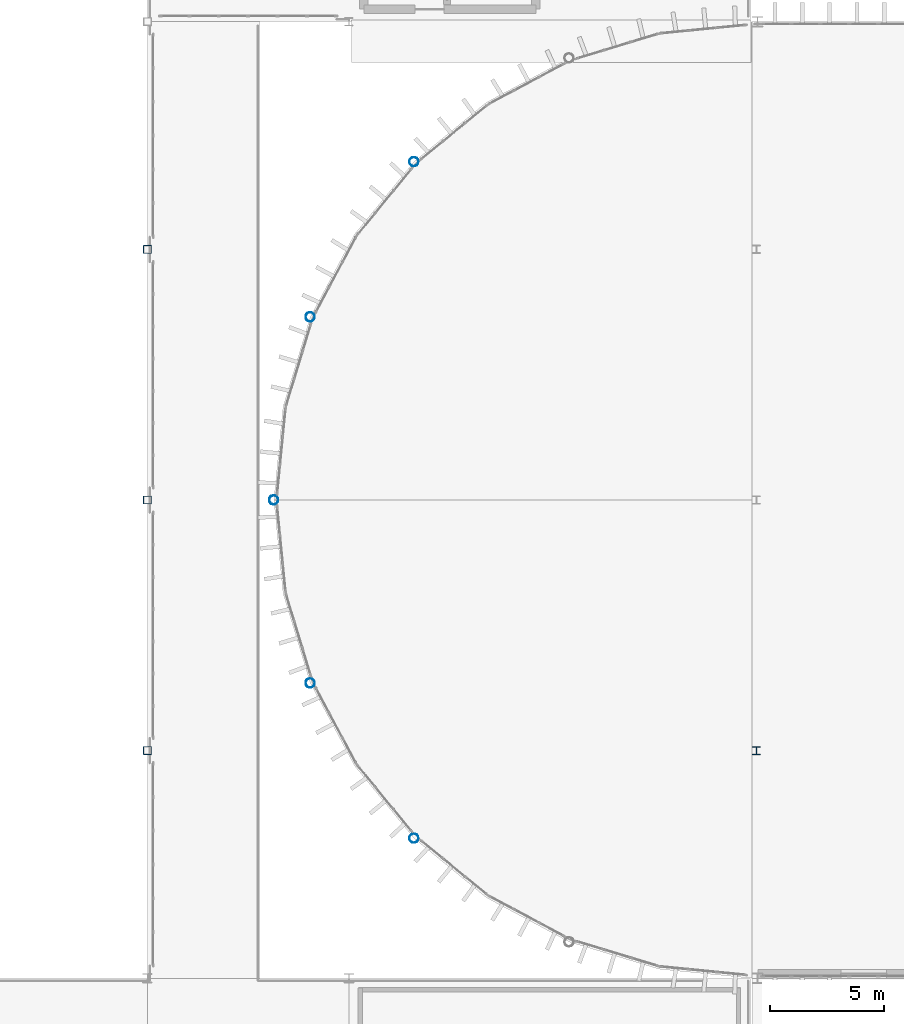
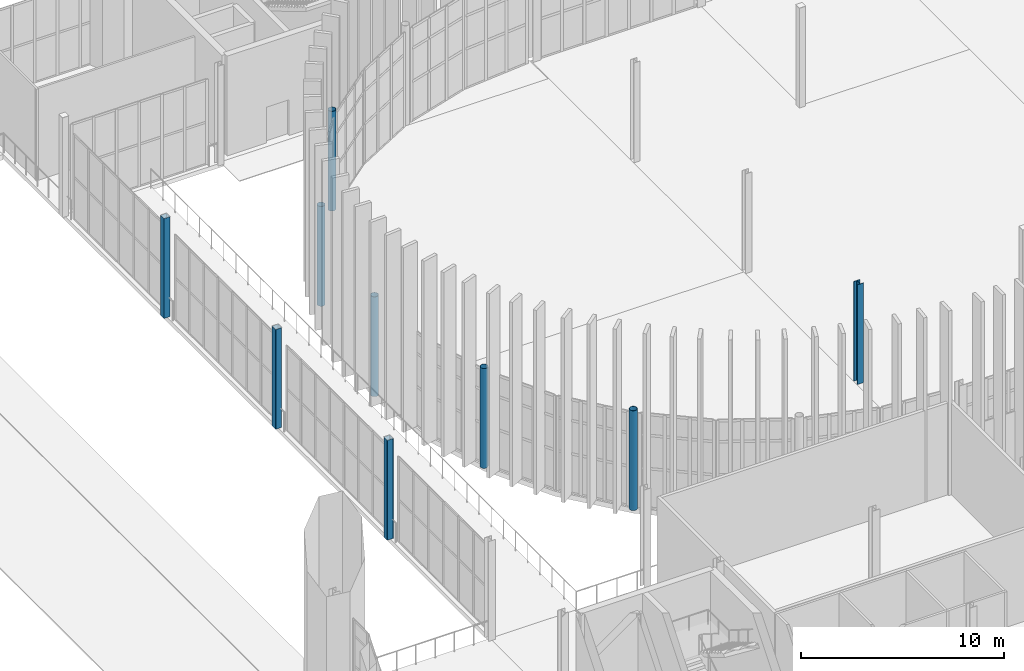
# One storey, part 8 of 139: 9 columns.
"""IFC4 building model written with IfcOpenShell, lengths in metres."""

from ifc_helpers import new_model, si_unit, direction, frame, origin, origin_2d, place, context, subcontext, project, spatial, hollow_rectangle, hollow_circle, i_section, extrude, material, material_profile, profile_set, type_object, element, save


model = new_model("IFC4")

# Units and contexts
model_context = context("Model", 3, precision=1e-05, world=origin(), true_north=direction((0.0, 1.0)))
body_context = subcontext(model_context, "Body", "Model", "MODEL_VIEW")
ifc_project = project(units=[si_unit("LENGTHUNIT", "METRE"), si_unit("AREAUNIT", "SQUARE_METRE"), si_unit("VOLUMEUNIT", "CUBIC_METRE"), si_unit("PLANEANGLEUNIT", "RADIAN"), si_unit("MASSUNIT", "GRAM", prefix="KILO")], contexts=[model_context])

# Site, building, storey
site_placement = place(None, origin())
site = spatial("IfcSite", under=ifc_project, at=site_placement, CompositionType="ELEMENT")
building_placement = place(site_placement, origin())
building = spatial("IfcBuilding", under=site, at=building_placement, Name="Yeouljin Market Hall", CompositionType="ELEMENT")
storey_placement = place(building_placement, origin())
storey = spatial("IfcBuildingStorey", under=building, at=storey_placement, Name="L00", CompositionType="ELEMENT", Elevation=0.0)

# Columns
ifc_material_1 = material(Name="Steel SM355", Category="steel")
ifc_material_profile_1 = material_profile(ifc_material_1, hollow_circle(Radius=0.203125, WallThickness=0.011962890625, at=origin_2d()), Name="CHS-406.4x12")
ifc_profile_set_1 = profile_set([ifc_material_profile_1], Name="Steel SM355")
column_type_1 = type_object("IfcColumnType", Name="Col_CHS-406.4x12", PredefinedType="COLUMN", material=ifc_profile_set_1)
for number, where, z_axis, x_axis, name in (
    (1, (20.55078125, 42.15087890625, 0.0), (0.0, 0.0, 1.0), (1.0, 0.0, 0.0), "Column AP-W04 (L00)"),
    (2, (15.99853515625, 48.963623046875, 0.0), (0.0, 0.0, 1.0), (1.0, 0.0, 0.0), "Column AP-W06 (L00)"),
    (3, (14.39990234375, 57.0, 0.0), (0.0, 0.0, 1.0), (1.0, 0.0, 0.0), "Column AP-W08 (L00)"),
    (4, (15.99853515625, 65.036376953125, 0.0), (0.0, 0.0, 1.0), (1.0, 0.0, 0.0), "Column AP-W10 (L00)"),
    (5, (20.55078125, 71.84912109375, 0.0), (0.0, 0.0, 1.0), (1.0, 0.0, 0.0), "Column AP-W12 (L00)"),
):
    element("IfcColumn", number, at=place(storey_placement, frame(where, z_axis=z_axis, x_axis=x_axis)), inside=storey, type_object=column_type_1, Name=name, PredefinedType="COLUMN", context=body_context, shape_type="SweptSolid", body=[
        extrude(hollow_circle(Radius=0.203125, WallThickness=0.011962890625, at=origin_2d()), origin(), (0.0, 0.0, 1.0), 6.0),
    ])
ifc_material_2 = material(Name="Steel SM355", Category="steel")
ifc_material_profile_2 = material_profile(ifc_material_2, i_section(OverallWidth=0.35009765625, OverallDepth=0.35009765625, WebThickness=0.011962890625, FlangeThickness=0.01904296875, FilletRadius=0.02001953125, at=origin_2d()), Name="H-350x350x12x19")
ifc_profile_set_2 = profile_set([ifc_material_profile_2], Name="Steel SM355")
column_type_2 = type_object("IfcColumnType", Name="Col_H-350x350x12x19", PredefinedType="COLUMN", material=ifc_profile_set_2)
column_placement = place(storey_placement, frame((35.590087890625, 46.0, 0.0), z_axis=(0.0, 0.0, 1.0), x_axis=(1.0, 0.0, 0.0)))
element("IfcColumn", 6, at=column_placement, inside=storey, type_object=column_type_2, Name="Column G-05-05 (L00)", PredefinedType="COLUMN", context=body_context, shape_type="SweptSolid", body=[
    extrude(i_section(OverallWidth=0.35009765625, OverallDepth=0.35009765625, WebThickness=0.011962890625, FlangeThickness=0.01904296875, FilletRadius=0.02001953125, at=origin_2d()), origin(), (0.0, 0.0, 1.0), 6.0),
])
ifc_material_3 = material(Name="Steel SM355", Category="steel")
ifc_material_profile_3 = material_profile(ifc_material_3, hollow_rectangle(XDim=0.35009765625, YDim=0.35009765625, WallThickness=0.011962890625, InnerFilletRadius=0.011962890625, OuterFilletRadius=0.01611328125, at=origin_2d()), Name="SHS-350x350x12")
ifc_profile_set_3 = profile_set([ifc_material_profile_3], Name="Steel SM355")
column_type_3 = type_object("IfcColumnType", Name="Col_SHS-350x350x12", PredefinedType="COLUMN", material=ifc_profile_set_3)
for number, where, z_axis, x_axis, name in (
    (7, (8.85009765625, 46.0, 0.0), (0.0, 0.0, 1.0), (1.0, 0.0, 0.0), "Column G-01-05 (L00)"),
    (8, (8.85009765625, 57.0, 0.0), (0.0, 0.0, 1.0), (1.0, 0.0, 0.0), "Column G-01-06 (L00)"),
    (9, (8.85009765625, 68.0, 0.0), (0.0, 0.0, 1.0), (1.0, 0.0, 0.0), "Column G-01-07 (L00)"),
):
    element("IfcColumn", number, at=place(storey_placement, frame(where, z_axis=z_axis, x_axis=x_axis)), inside=storey, type_object=column_type_3, Name=name, PredefinedType="COLUMN", context=body_context, shape_type="SweptSolid", body=[
        extrude(hollow_rectangle(XDim=0.35009765625, YDim=0.35009765625, WallThickness=0.011962890625, InnerFilletRadius=0.011962890625, OuterFilletRadius=0.01611328125, at=origin_2d()), origin(), (0.0, 0.0, 1.0), 6.0),
    ])

save(model, "model.ifc")
